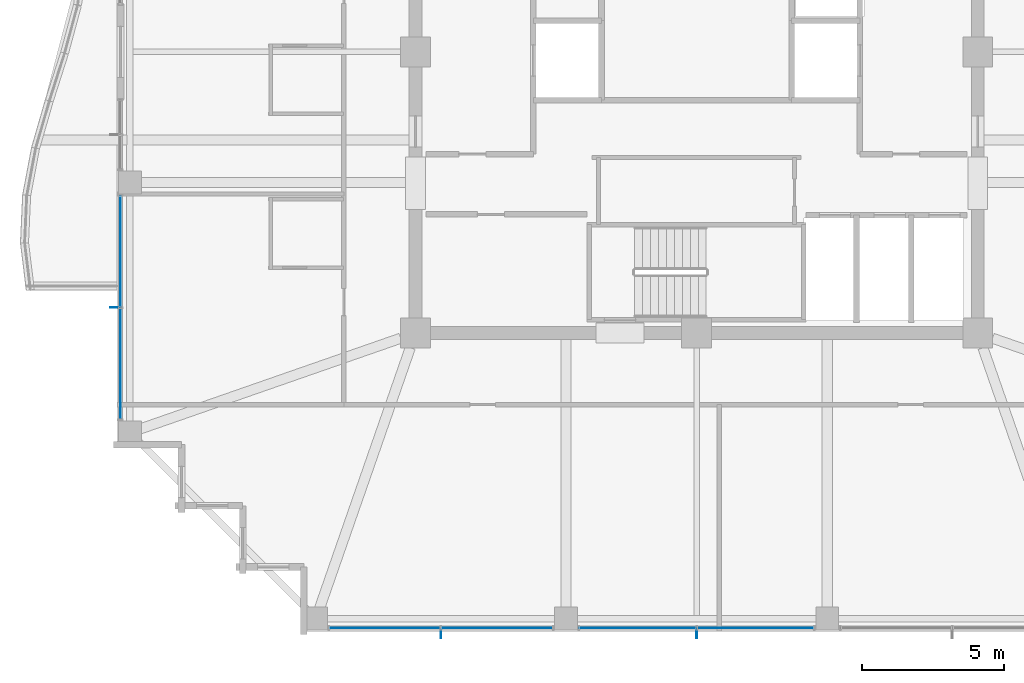
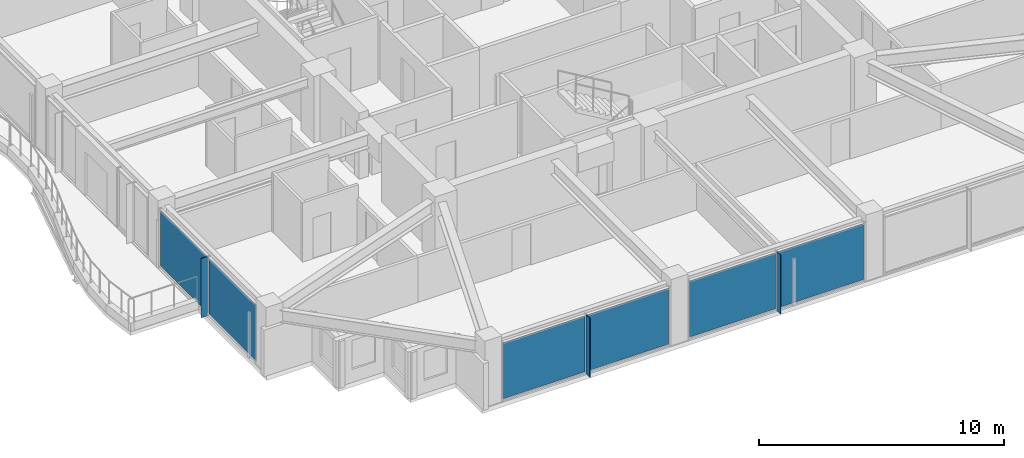
# One storey, part 21 of 34: 9 plates, 3 elements without a shape of their own.
"""IFC4 building model written with IfcOpenShell, lengths in metres."""

from ifc_helpers import new_model, si_unit, direction, frame, origin, origin_2d, place, context, subcontext, project, spatial, rectangle, extrude, material, layer, layer_set, type_object, element, aggregate, save


model = new_model("IFC4")

# Units and contexts
model_context = context("Model", 3, precision=1e-05, world=origin(), true_north=direction((0.0, 1.0)))
body_context = subcontext(model_context, "Body", "Model", "MODEL_VIEW")
ifc_project = project(units=[si_unit("LENGTHUNIT", "METRE"), si_unit("AREAUNIT", "SQUARE_METRE"), si_unit("VOLUMEUNIT", "CUBIC_METRE"), si_unit("PLANEANGLEUNIT", "RADIAN"), si_unit("MASSUNIT", "GRAM", prefix="KILO")], contexts=[model_context])

# Site, building, storey
site_placement = place(None, origin())
site = spatial("IfcSite", under=ifc_project, at=site_placement, CompositionType="ELEMENT")
building_placement = place(site_placement, origin())
building = spatial("IfcBuilding", under=site, at=building_placement, Name="Kolvaren Belvedere", CompositionType="ELEMENT")
storey_placement = place(building_placement, frame((0.0, 0.0, 229.5)))
storey = spatial("IfcBuildingStorey", under=building, at=storey_placement, Name="L67", CompositionType="ELEMENT", Elevation=229.5)

# Curtain wall, plates
ifc_material_1 = material(Name="Anodised pale-metal aluminium AA 6063-T6", Category="aluminium")
curtain_wall_type = type_object("IfcCurtainWallType", Name="CW-Z5-HIGH", PredefinedType="NOTDEFINED", material=ifc_material_1)
curtain_wall_1_placement = place(storey_placement, origin())
curtain_wall_1 = element("IfcCurtainWall", 1, at=curtain_wall_1_placement, inside=storey, type_object=curtain_wall_type, Name="L67 Unitised Curtain Wall FCW-L67-S-B2", PredefinedType="NOTDEFINED")
ifc_material_2 = material(Name="Low-iron triple insulated glass", Category="glass")
ifc_layer_1 = layer(ifc_material_2, 0.028076171875)
ifc_layer_set_1 = layer_set([ifc_layer_1], Name="Low-iron triple insulated glass")
plate_type_1 = type_object("IfcPlateType", Name="CW-PNL-VIS28", PredefinedType="CURTAIN_PANEL", material=ifc_layer_set_1)
plate_1_placement = place(storey_placement, frame((2.072509765625, -20.280029296875, 0.080078125), z_axis=(0.0, 0.0, 1.0), x_axis=(-1.0, 0.0, 0.0)))
plate_1 = element("IfcPlate", 2, at=plate_1_placement, type_object=plate_type_1, Name="FCW-L67-S-B2 Vision Glazing Panel 1", PredefinedType="CURTAIN_PANEL", context=body_context, shape_type="SweptSolid", body=[
    extrude(rectangle(XDim=4.06494140625, YDim=0.028076171875, at=origin_2d()), origin(), (0.0, 0.0, 1.0), 2.7900390625),
])
plate_2_placement = place(storey_placement, frame((-2.072509765625, -20.280029296875, 0.080078125), z_axis=(0.0, 0.0, 1.0), x_axis=(-1.0, 0.0, 0.0)))
plate_2 = element("IfcPlate", 3, at=plate_2_placement, type_object=plate_type_1, Name="FCW-L67-S-B2 Vision Glazing Panel 2", PredefinedType="CURTAIN_PANEL", context=body_context, shape_type="SweptSolid", body=[
    extrude(rectangle(XDim=4.06494140625, YDim=0.028076171875, at=origin_2d()), origin(), (0.0, 0.0, 1.0), 2.7900390625),
])
aggregate(curtain_wall_1, [plate_1, plate_2])

curtain_wall_2_placement = place(storey_placement, origin())
curtain_wall_2 = element("IfcCurtainWall", 4, at=curtain_wall_2_placement, inside=storey, type_object=curtain_wall_type, Name="L67 Unitised Curtain Wall FCW-L67-S-B3", PredefinedType="NOTDEFINED")
plate_3_placement = place(storey_placement, frame((-7.027587890625, -20.280029296875, 0.080078125), z_axis=(0.0, 0.0, 1.0), x_axis=(-1.0, 0.0, 0.0)))
plate_3 = element("IfcPlate", 5, at=plate_3_placement, type_object=plate_type_1, Name="FCW-L67-S-B3 Vision Glazing Panel 1", PredefinedType="CURTAIN_PANEL", context=body_context, shape_type="SweptSolid", body=[
    extrude(rectangle(XDim=3.864990234375, YDim=0.028076171875, at=origin_2d()), origin(), (0.0, 0.0, 1.0), 2.7900390625),
])
plate_4_placement = place(storey_placement, frame((-10.972412109375, -20.280029296875, 0.080078125), z_axis=(0.0, 0.0, 1.0), x_axis=(-1.0, 0.0, 0.0)))
plate_4 = element("IfcPlate", 6, at=plate_4_placement, type_object=plate_type_1, Name="FCW-L67-S-B3 Vision Glazing Panel 2", PredefinedType="CURTAIN_PANEL", context=body_context, shape_type="SweptSolid", body=[
    extrude(rectangle(XDim=3.864990234375, YDim=0.028076171875, at=origin_2d()), origin(), (0.0, 0.0, 1.0), 2.7900390625),
])
aggregate(curtain_wall_2, [plate_3, plate_4])

curtain_wall_3_placement = place(storey_placement, origin())
curtain_wall_3 = element("IfcCurtainWall", 7, at=curtain_wall_3_placement, inside=storey, type_object=curtain_wall_type, Name="L67 Unitised Curtain Wall FCW-L67-W1-B1", PredefinedType="NOTDEFINED")
plate_5_placement = place(storey_placement, frame((-20.280029296875, -10.972412109375, 0.080078125), z_axis=(0.0, 0.0, 1.0), x_axis=(0.0, 1.0, 0.0)))
plate_5 = element("IfcPlate", 8, at=plate_5_placement, type_object=plate_type_1, Name="FCW-L67-W1-B1 Vision Glazing Panel 1", PredefinedType="CURTAIN_PANEL", context=body_context, shape_type="SweptSolid", body=[
    extrude(rectangle(XDim=3.864990234375, YDim=0.028076171875, at=origin_2d()), origin(), (0.0, 0.0, 1.0), 2.7900390625),
])
plate_6_placement = place(storey_placement, frame((-20.280029296875, -7.027587890625, 0.080078125), z_axis=(0.0, 0.0, 1.0), x_axis=(0.0, 1.0, 0.0)))
plate_6 = element("IfcPlate", 9, at=plate_6_placement, type_object=plate_type_1, Name="FCW-L67-W1-B1 Vision Glazing Panel 2", PredefinedType="CURTAIN_PANEL", context=body_context, shape_type="SweptSolid", body=[
    extrude(rectangle(XDim=3.864990234375, YDim=0.028076171875, at=origin_2d()), origin(), (0.0, 0.0, 1.0), 2.7900390625),
])
aggregate(curtain_wall_3, [plate_5, plate_6])

# Plates
ifc_material_3 = material(Name="Anodised pale-metal aluminium AA 6063-T6", Category="aluminium")
ifc_layer_2 = layer(ifc_material_3, 0.030029296875)
ifc_layer_set_2 = layer_set([ifc_layer_2], Name="Anodised pale-metal aluminium AA 6063-T6")
plate_type_2 = type_object("IfcPlateType", Name="FIN-VERT-300", PredefinedType="USERDEFINED", material=ifc_layer_set_2)
for number, where, z_axis, x_axis, name in (
    (10, (0.0, -20.489990234375, 0.0), (0.0, 0.0, 1.0), (0.0, 1.0, 0.0), "L67 Pale-Metal Vertical Shading Fin FCW-L67-S-B2-1"),
    (11, (-9.0, -20.489990234375, 0.0), (0.0, 0.0, 1.0), (0.0, 1.0, 0.0), "L67 Pale-Metal Vertical Shading Fin FCW-L67-S-B3-1"),
    (12, (-20.489990234375, -9.0, 0.0), (0.0, 0.0, 1.0), (1.0, 0.0, 0.0), "L67 Pale-Metal Vertical Shading Fin FCW-L67-W1-B1-1"),
):
    element("IfcPlate", number, at=place(storey_placement, frame(where, z_axis=z_axis, x_axis=x_axis)), inside=storey, type_object=plate_type_2, Name=name, ObjectType="VERTICAL FIN", PredefinedType="USERDEFINED", context=body_context, shape_type="SweptSolid", body=[
        extrude(rectangle(XDim=0.300048828125, YDim=0.030029296875, at=origin_2d()), origin(), (0.0, 0.0, 1.0), 2.949951171875),
    ])

save(model, "model.ifc")
